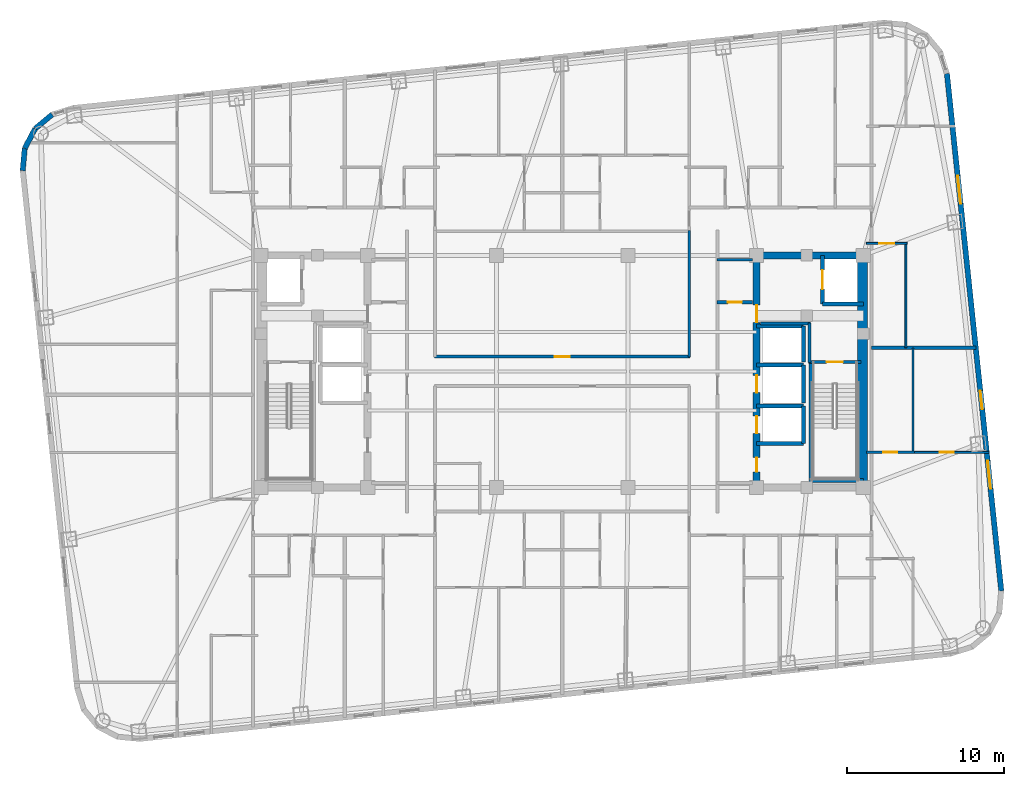
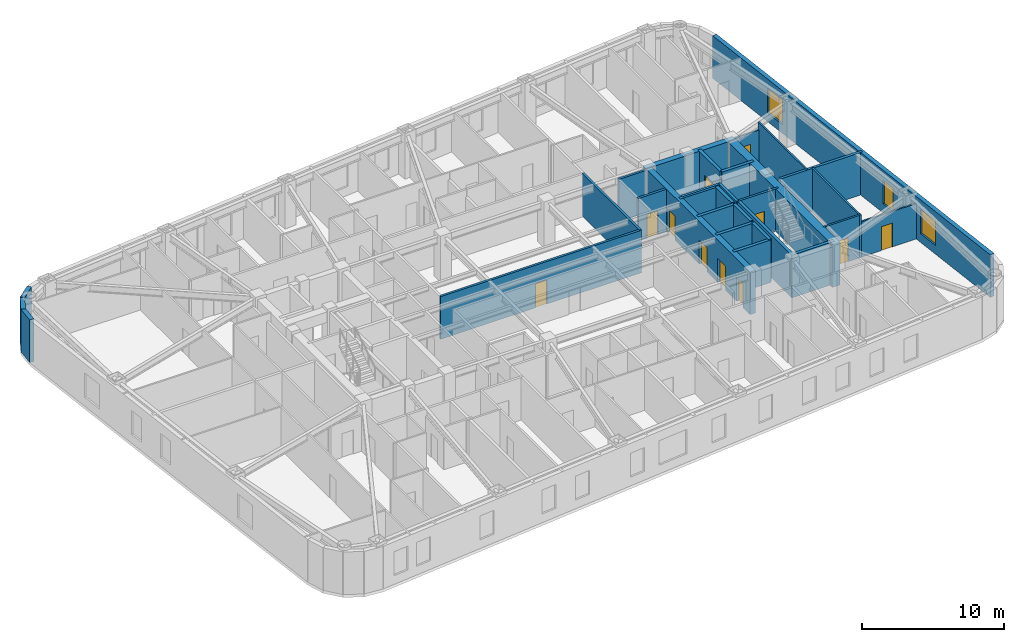
# One storey, part 6 of 11: 31 walls, 11 doors, 3 windows, 14 openings.
"""IFC4 building model written with IfcOpenShell, lengths in metres."""

from ifc_helpers import new_model, si_unit, direction, frame, frame_2d, origin, place, context, subcontext, project, spatial, rectangle, extrude, material, layer, layer_set, type_object, element, fill, save


model = new_model("IFC4")

# Units and contexts
model_context = context("Model", 3, precision=1e-05, world=origin(), true_north=direction((0.0, 1.0)))
body_context = subcontext(model_context, "Body", "Model", "MODEL_VIEW")
ifc_project = project(units=[si_unit("LENGTHUNIT", "METRE"), si_unit("AREAUNIT", "SQUARE_METRE"), si_unit("VOLUMEUNIT", "CUBIC_METRE"), si_unit("PLANEANGLEUNIT", "RADIAN"), si_unit("MASSUNIT", "GRAM", prefix="KILO")], contexts=[model_context])

# Site, building, storey
site_placement = place(None, origin())
site = spatial("IfcSite", under=ifc_project, at=site_placement, CompositionType="ELEMENT")
building_placement = place(site_placement, origin())
building = spatial("IfcBuilding", under=site, at=building_placement, Name="Voryun Gate Residences", CompositionType="ELEMENT")
storey_placement = place(building_placement, frame((0.0, 0.0, 156.0)))
storey = spatial("IfcBuildingStorey", under=building, at=storey_placement, Name="L38", CompositionType="ELEMENT", Elevation=156.0)

# Wall
ifc_material_1 = material(Name="Concrete C50/60", Category="concrete")
ifc_layer_1 = layer(ifc_material_1, 0.449951171875, Name="CW_CORE_450")
ifc_layer_set_1 = layer_set([ifc_layer_1], Name="Concrete C50/60")
wall_type_1 = type_object("IfcWallType", Name="CW_CORE_450", PredefinedType="SHEAR", material=ifc_layer_set_1)
wall_1_placement = place(storey_placement, frame((12.175048828125, 7.39990234375, 0.0), z_axis=(0.0, 0.0, 1.0), x_axis=(1.0, 0.0, 0.0)))
element("IfcWall", 1, at=wall_1_placement, inside=storey, type_object=wall_type_1, Name="L38 Core shear wall CW-L38-EN", PredefinedType="SHEAR", context=body_context, shape_type="SweptSolid", body=[
    extrude(rectangle(XDim=7.25, YDim=0.449951171875, at=frame_2d((3.625, 0.0))), origin(), (0.0, 0.0, 1.0), 3.64990234375),
])

# Wall, openings, doors
wall_2_placement = place(storey_placement, frame((12.39990234375, -7.39990234375, 0.0), z_axis=(0.0, 0.0, 1.0), x_axis=(0.0, 1.0, 0.0)))
wall_2 = element("IfcWall", 2, at=wall_2_placement, inside=storey, type_object=wall_type_1, Name="L38 Core shear wall CW-L38-EW", PredefinedType="SHEAR", context=body_context, shape_type="SweptSolid", body=[
    extrude(rectangle(XDim=14.7998046875, YDim=0.449951171875, at=frame_2d((7.39990234375, 0.0))), origin(), (0.0, 0.0, 1.0), 3.64990234375),
])
opening_1_placement = place(wall_2_placement, frame((3.449951171875, 0.0, 0.0)))
opening_1 = element("IfcOpeningElement", 3, at=opening_1_placement, cuts=wall_2, Name="Opening LD2", PredefinedType="OPENING", context=body_context, shape_type="SweptSolid", body=[
    extrude(rectangle(XDim=1.10009765625, YDim=2.050048828125, at=frame_2d((0.550048828125, 1.02490234375))), frame((0.0, 0.235107421875, 0.0), z_axis=(0.0, -1.0, 0.0), x_axis=(1.0, 0.0, 0.0)), (0.0, 0.0, 1.0), 0.469970703125),
])
opening_2_placement = place(wall_2_placement, frame((6.050048828125, 0.0, 0.0)))
opening_2 = element("IfcOpeningElement", 4, at=opening_2_placement, cuts=wall_2, Name="Opening LD2", PredefinedType="OPENING", context=body_context, shape_type="SweptSolid", body=[
    extrude(rectangle(XDim=1.10009765625, YDim=2.050048828125, at=frame_2d((0.550048828125, 1.02490234375))), frame((0.0, 0.235107421875, 0.0), z_axis=(0.0, -1.0, 0.0), x_axis=(1.0, 0.0, 0.0)), (0.0, 0.0, 1.0), 0.469970703125),
])
opening_3_placement = place(wall_2_placement, frame((10.530029296875, 0.0, 0.0)))
opening_3 = element("IfcOpeningElement", 5, at=opening_3_placement, cuts=wall_2, Name="Opening D-FD60-2", PredefinedType="OPENING", context=body_context, shape_type="SweptSolid", body=[
    extrude(rectangle(XDim=1.10009765625, YDim=2.050048828125, at=frame_2d((0.550048828125, 1.02490234375))), frame((0.0, 0.235107421875, 0.0), z_axis=(0.0, -1.0, 0.0), x_axis=(1.0, 0.0, 0.0)), (0.0, 0.0, 1.0), 0.469970703125),
])
opening_4_placement = place(wall_2_placement, frame((1.0, 0.0, 0.0)))
opening_4 = element("IfcOpeningElement", 6, at=opening_4_placement, cuts=wall_2, Name="Opening D-FD60-4", PredefinedType="OPENING", context=body_context, shape_type="SweptSolid", body=[
    extrude(rectangle(XDim=0.89990234375, YDim=2.050048828125, at=frame_2d((0.449951171875, 1.02490234375))), frame((0.0, 0.235107421875, 0.0), z_axis=(0.0, -1.0, 0.0), x_axis=(1.0, 0.0, 0.0)), (0.0, 0.0, 1.0), 0.469970703125),
])
ifc_material_2 = material(Name="Painted steel fire door", Category="steel")
door_type_1 = type_object("IfcDoorType", Name="DR_FD60_FFLOB_1100", OperationType="NOTDEFINED", PredefinedType="DOOR", material=ifc_material_2)
door_1_placement = place(opening_3_placement, origin())
door_1 = element("IfcDoor", 7, at=door_1_placement, inside=storey, type_object=door_type_1, Name="Door DR-L38-CLOB-E", OperationType="SINGLE_SWING_RIGHT", OverallHeight=2.050048828125, OverallWidth=1.10009765625, PredefinedType="DOOR", context=body_context, shape_type="SweptSolid", body=[
    extrude(rectangle(XDim=1.10009765625, YDim=2.050048828125, at=frame_2d((0.550048828125, 1.02490234375))), frame((0.0, 0.02490234375, 0.0), z_axis=(0.0, -1.0, 0.0), x_axis=(1.0, 0.0, 0.0)), (0.0, 0.0, 1.0), 0.050048828125),
])
fill(opening_3, door_1)
ifc_material_3 = material(Name="Painted steel fire door", Category="steel")
door_type_2 = type_object("IfcDoorType", Name="DR_FD60_RISER_900", OperationType="NOTDEFINED", PredefinedType="DOOR", material=ifc_material_3)
door_2_placement = place(opening_4_placement, origin())
door_2 = element("IfcDoor", 8, at=door_2_placement, inside=storey, type_object=door_type_2, Name="Door DR-L38-RECE1", OperationType="SINGLE_SWING_RIGHT", OverallHeight=2.050048828125, OverallWidth=0.89990234375, PredefinedType="DOOR", context=body_context, shape_type="SweptSolid", body=[
    extrude(rectangle(XDim=0.89990234375, YDim=2.050048828125, at=frame_2d((0.449951171875, 1.02490234375))), frame((0.0, 0.02490234375, 0.0), z_axis=(0.0, -1.0, 0.0), x_axis=(1.0, 0.0, 0.0)), (0.0, 0.0, 1.0), 0.050048828125),
])
fill(opening_4, door_2)
ifc_material_4 = material(Name="Anodised aluminium", Category="aluminium")
door_type_3 = type_object("IfcDoorType", Name="DR_LD_PASS_1100", OperationType="NOTDEFINED", PredefinedType="DOOR", material=ifc_material_4)
door_3_placement = place(opening_1_placement, origin())
door_3 = element("IfcDoor", 9, at=door_3_placement, inside=storey, type_object=door_type_3, Name="Lift EL-P5 sliding landing door L38", OperationType="SLIDING_TO_LEFT", OverallHeight=2.050048828125, OverallWidth=1.10009765625, PredefinedType="DOOR", context=body_context, shape_type="SweptSolid", body=[
    extrude(rectangle(XDim=1.10009765625, YDim=2.050048828125, at=frame_2d((0.550048828125, 1.02490234375))), frame((0.0, 0.02490234375, 0.0), z_axis=(0.0, -1.0, 0.0), x_axis=(1.0, 0.0, 0.0)), (0.0, 0.0, 1.0), 0.050048828125),
])
fill(opening_1, door_3)
door_4_placement = place(opening_2_placement, origin())
door_4 = element("IfcDoor", 10, at=door_4_placement, inside=storey, type_object=door_type_3, Name="Lift EL-P6 sliding landing door L38", OperationType="SLIDING_TO_LEFT", OverallHeight=2.050048828125, OverallWidth=1.10009765625, PredefinedType="DOOR", context=body_context, shape_type="SweptSolid", body=[
    extrude(rectangle(XDim=1.10009765625, YDim=2.050048828125, at=frame_2d((0.550048828125, 1.02490234375))), frame((0.0, 0.02490234375, 0.0), z_axis=(0.0, -1.0, 0.0), x_axis=(1.0, 0.0, 0.0)), (0.0, 0.0, 1.0), 0.050048828125),
])
fill(opening_2, door_4)

# Wall
ifc_material_5 = material(Name="Concrete C60/75", Category="concrete")
ifc_layer_2 = layer(ifc_material_5, 0.64990234375, Name="CW_CORE_650")
ifc_layer_set_2 = layer_set([ifc_layer_2], Name="Concrete C60/75")
wall_type_2 = type_object("IfcWallType", Name="CW_CORE_650", PredefinedType="SHEAR", material=ifc_layer_set_2)
wall_3_placement = place(storey_placement, frame((19.14501953125, -7.39990234375, 0.0), z_axis=(0.0, 0.0, 1.0), x_axis=(0.0, 1.0, 0.0)))
element("IfcWall", 11, at=wall_3_placement, inside=storey, type_object=wall_type_2, Name="L38 Core shear wall CW-L38-EE", PredefinedType="SHEAR", context=body_context, shape_type="SweptSolid", body=[
    extrude(rectangle(XDim=14.7998046875, YDim=0.64990234375, at=frame_2d((7.39990234375, 0.0))), origin(), (0.0, 0.0, 1.0), 3.64990234375),
])

# Wall, opening, door
ifc_material_6 = material(Name="Gypsum acoustic fireboard")
ifc_layer_3 = layer(ifc_material_6, 0.179931640625, Name="W_CORR_RATED_180")
ifc_layer_set_3 = layer_set([ifc_layer_3], Name="Gypsum acoustic fireboard")
wall_type_3 = type_object("IfcWallType", Name="W_CORR_RATED_180", PredefinedType="PARTITIONING", material=ifc_layer_set_3)
wall_4_placement = place(storey_placement, frame((15.699951171875, 0.60009765625, 0.0), z_axis=(0.0, 0.0, 1.0), x_axis=(1.0, 0.0, 0.0)))
wall_4 = element("IfcWall", 12, at=wall_4_placement, inside=storey, type_object=wall_type_3, Name="Partition wall WP-L38-STV-E", PredefinedType="PARTITIONING", context=body_context, shape_type="SweptSolid", body=[
    extrude(rectangle(XDim=3.360107421875, YDim=0.179931640625, at=frame_2d((1.68017578125, 0.0))), origin(), (0.0, 0.0, 1.0), 3.64990234375),
])
opening_5_placement = place(wall_4_placement, frame((1.155029296875, 0.0, 0.0)))
opening_5 = element("IfcOpeningElement", 13, at=opening_5_placement, cuts=wall_4, Name="Opening D-FD60-1", PredefinedType="OPENING", context=body_context, shape_type="SweptSolid", body=[
    extrude(rectangle(XDim=1.050048828125, YDim=2.050048828125, at=frame_2d((0.52490234375, 1.02490234375))), frame((0.0, 0.099853515625, 0.0), z_axis=(0.0, -1.0, 0.0), x_axis=(1.0, 0.0, 0.0)), (0.0, 0.0, 1.0), 0.199951171875),
])
ifc_material_7 = material(Name="Painted steel fire door", Category="steel")
door_type_4 = type_object("IfcDoorType", Name="DR_FD60_STAIR_1050", OperationType="NOTDEFINED", PredefinedType="DOOR", material=ifc_material_7)
door_5_placement = place(opening_5_placement, origin())
door_5 = element("IfcDoor", 14, at=door_5_placement, inside=storey, type_object=door_type_4, Name="Door DR-L38-ST-E", OperationType="SINGLE_SWING_RIGHT", OverallHeight=2.050048828125, OverallWidth=1.050048828125, PredefinedType="DOOR", context=body_context, shape_type="SweptSolid", body=[
    extrude(rectangle(XDim=1.050048828125, YDim=2.050048828125, at=frame_2d((0.52490234375, 1.02490234375))), frame((0.0, 0.02490234375, 0.0), z_axis=(0.0, -1.0, 0.0), x_axis=(1.0, 0.0, 0.0)), (0.0, 0.0, 1.0), 0.050048828125),
])
fill(opening_5, door_5)

# Wall
wall_5_placement = place(storey_placement, frame((9.8798828125, 7.1201171875, 0.0), z_axis=(0.0, 0.0, 1.0), x_axis=(1.0, 0.0, 0.0)))
element("IfcWall", 15, at=wall_5_placement, inside=storey, type_object=wall_type_3, Name="Partition wall WP-L38-PLBN-E", PredefinedType="PARTITIONING", context=body_context, shape_type="SweptSolid", body=[
    extrude(rectangle(XDim=2.27001953125, YDim=0.179931640625, at=frame_2d((1.135009765625, 0.0))), origin(), (0.0, 0.0, 1.0), 3.64990234375),
])

# Wall, opening, door
wall_6_placement = place(storey_placement, frame((-8.14990234375, 0.93994140625, 0.0), z_axis=(0.0, 0.0, 1.0), x_axis=(1.0, 0.0, 0.0)))
wall_6 = element("IfcWall", 16, at=wall_6_placement, inside=storey, type_object=wall_type_3, Name="Partition wall WP-L38-Z2HN", PredefinedType="PARTITIONING", context=body_context, shape_type="SweptSolid", body=[
    extrude(rectangle(XDim=16.2998046875, YDim=0.179931640625, at=frame_2d((8.14990234375, 0.0))), origin(), (0.0, 0.0, 1.0), 3.64990234375),
])
opening_6_placement = place(wall_6_placement, frame((7.675048828125, 0.0, 0.0)))
opening_6 = element("IfcOpeningElement", 17, at=opening_6_placement, cuts=wall_6, Name="Opening D-INT-1", PredefinedType="OPENING", context=body_context, shape_type="SweptSolid", body=[
    extrude(rectangle(XDim=0.949951171875, YDim=2.050048828125, at=frame_2d((0.47509765625, 1.02490234375))), frame((0.0, 0.099853515625, 0.0), z_axis=(0.0, -1.0, 0.0), x_axis=(1.0, 0.0, 0.0)), (0.0, 0.0, 1.0), 0.199951171875),
])
ifc_material_8 = material(Name="Architectural oak veneer")
door_type_5 = type_object("IfcDoorType", Name="DR_INT_ROOM_950", OperationType="NOTDEFINED", PredefinedType="DOOR", material=ifc_material_8)
door_6_placement = place(opening_6_placement, origin())
door_6 = element("IfcDoor", 18, at=door_6_placement, inside=storey, type_object=door_type_5, Name="Door DR-L38-Z2NH", OperationType="SINGLE_SWING_LEFT", OverallHeight=2.050048828125, OverallWidth=0.949951171875, PredefinedType="DOOR", context=body_context, shape_type="SweptSolid", body=[
    extrude(rectangle(XDim=0.949951171875, YDim=2.050048828125, at=frame_2d((0.47509765625, 1.02490234375))), frame((0.0, 0.02490234375, 0.0), z_axis=(0.0, -1.0, 0.0), x_axis=(1.0, 0.0, 0.0)), (0.0, 0.0, 1.0), 0.050048828125),
])
fill(opening_6, door_6)

# Walls
wall_7_placement = place(storey_placement, frame((8.10009765625, 0.919921875, 0.0), z_axis=(0.0, 0.0, 1.0), x_axis=(0.0, 1.0, 0.0)))
element("IfcWall", 19, at=wall_7_placement, inside=storey, type_object=wall_type_3, Name="Partition wall WP-L38-Z2ER1", PredefinedType="PARTITIONING", context=body_context, shape_type="SweptSolid", body=[
    extrude(rectangle(XDim=8.06005859375, YDim=0.179931640625, at=frame_2d((4.030029296875, 0.0))), origin(), (0.0, 0.0, 1.0), 3.64990234375),
])
ifc_material_9 = material(Name="Charcoal terracotta masonry", Category="masonry")
ifc_layer_4 = layer(ifc_material_9, 0.340087890625, Name="W_EXT_TERRACOTTA_340")
ifc_layer_set_4 = layer_set([ifc_layer_4], Name="Charcoal terracotta masonry")
wall_type_4 = type_object("IfcWallType", Name="W_EXT_TERRACOTTA_340", PredefinedType="ELEMENTEDWALL", material=ifc_layer_set_4)
wall_8_placement = place(storey_placement, frame((-34.401123046875, 12.795166015625, 0.0), z_axis=(0.0, 0.0, 1.0), x_axis=(0.091534682358, 0.995801888894, 0.0)))
element("IfcWall", 20, at=wall_8_placement, inside=storey, type_object=wall_type_4, Name="Exterior wall WEXT-L38-07", PredefinedType="ELEMENTEDWALL", context=body_context, shape_type="SweptSolid", body=[
    extrude(rectangle(XDim=1.432373046875, YDim=0.340087890625, at=frame_2d((0.71630859375, 0.0))), origin(), (0.0, 0.0, 1.0), 3.64990234375),
])
for number, where, z_axis, x_axis, name in (
    (21, (-34.27001953125, 14.221435546875, 0.0), (0.0, 0.0, 1.0), (0.465682431293, 0.884951904447, 0.0), "Exterior wall WEXT-L38-08"),
    (22, (-33.611083984375, 15.4736328125, 0.0), (0.0, 0.0, 1.0), (0.768843196093, 0.639437361921, 0.0), "Exterior wall WEXT-L38-09"),
):
    element("IfcWall", number, at=place(storey_placement, frame(where, z_axis=z_axis, x_axis=x_axis)), inside=storey, type_object=wall_type_4, Name=name, PredefinedType="ELEMENTEDWALL", context=body_context, shape_type="SweptSolid", body=[
        extrude(rectangle(XDim=1.4150390625, YDim=0.340087890625, at=frame_2d((0.70751953125, 0.0))), origin(), (0.0, 0.0, 1.0), 3.64990234375),
    ])

# Wall, openings, windows
wall_9_placement = place(storey_placement, frame((24.5341796875, 18.989501953125, 0.0), z_axis=(0.0, 0.0, 1.0), x_axis=(0.104534959766, -0.994521212537, 0.0)))
wall_9 = element("IfcWall", 23, at=wall_9_placement, inside=storey, type_object=wall_type_4, Name="Exterior wall WEXT-L38-16", PredefinedType="ELEMENTEDWALL", context=body_context, shape_type="SweptSolid", body=[
    extrude(rectangle(XDim=33.166259765625, YDim=0.340087890625, at=frame_2d((16.5830078125, 0.0))), origin(), (0.0, 0.0, 1.0), 3.64990234375),
])
opening_7_placement = place(wall_9_placement, frame((6.54150390625, 0.0, 0.75)))
opening_7 = element("IfcOpeningElement", 24, at=opening_7_placement, cuts=wall_9, Name="Opening WN1", PredefinedType="OPENING", context=body_context, shape_type="SweptSolid", body=[
    extrude(rectangle(XDim=1.800048828125, YDim=2.10009765625, at=frame_2d((0.89990234375, 1.050048828125))), frame((0.0, 0.179931640625, 0.0), z_axis=(0.0, -1.0, 0.0), x_axis=(1.0, 0.0, 0.0)), (0.0, 0.0, 1.0), 0.360107421875),
])
opening_8_placement = place(wall_9_placement, frame((24.824951171875, 0.0, 0.75)))
opening_8 = element("IfcOpeningElement", 25, at=opening_8_placement, cuts=wall_9, Name="Opening WN1", PredefinedType="OPENING", context=body_context, shape_type="SweptSolid", body=[
    extrude(rectangle(XDim=1.800048828125, YDim=2.10009765625, at=frame_2d((0.89990234375, 1.050048828125))), frame((0.0, 0.179931640625, 0.0), z_axis=(0.0, -1.0, 0.0), x_axis=(1.0, 0.0, 0.0)), (0.0, 0.0, 1.0), 0.360107421875),
])
opening_9_placement = place(wall_9_placement, frame((20.33203125, 0.0, 0.75)))
opening_9 = element("IfcOpeningElement", 26, at=opening_9_placement, cuts=wall_9, Name="Opening WN6", PredefinedType="OPENING", context=body_context, shape_type="SweptSolid", body=[
    extrude(rectangle(XDim=1.199951171875, YDim=2.050048828125, at=frame_2d((0.60009765625, 1.02490234375))), frame((0.0, 0.179931640625, 0.0), z_axis=(0.0, -1.0, 0.0), x_axis=(1.0, 0.0, 0.0)), (0.0, 0.0, 1.0), 0.360107421875),
])
ifc_material_10 = material(Name="Laminated low-E glass", Category="glass")
window_type_1 = type_object("IfcWindowType", Name="WN_POD_SLOT_1200", PartitioningType="SINGLE_PANEL", PredefinedType="WINDOW", material=ifc_material_10)
window_1_placement = place(opening_9_placement, origin())
window_1 = element("IfcWindow", 27, at=window_1_placement, inside=storey, type_object=window_type_1, Name="Window WN-L38-DWFIX-26", OverallHeight=2.050048828125, OverallWidth=1.199951171875, PartitioningType="SINGLE_PANEL", PredefinedType="WINDOW", context=body_context, shape_type="SweptSolid", body=[
    extrude(rectangle(XDim=1.199951171875, YDim=2.050048828125, at=frame_2d((0.60009765625, 1.02490234375))), frame((0.0, 0.030029296875, 0.0), z_axis=(0.0, -1.0, 0.0), x_axis=(1.0, 0.0, 0.0)), (0.0, 0.0, 1.0), 0.06005859375),
])
fill(opening_9, window_1)
ifc_material_11 = material(Name="Laminated low-E glass", Category="glass")
window_type_2 = type_object("IfcWindowType", Name="WN_RES_PUNCH_1800", PartitioningType="SINGLE_PANEL", PredefinedType="WINDOW", material=ifc_material_11)
window_2_placement = place(opening_7_placement, origin())
window_2 = element("IfcWindow", 28, at=window_2_placement, inside=storey, type_object=window_type_2, Name="Window WN-WEXT-L38-16-01", OverallHeight=2.10009765625, OverallWidth=1.800048828125, PartitioningType="SINGLE_PANEL", PredefinedType="WINDOW", context=body_context, shape_type="SweptSolid", body=[
    extrude(rectangle(XDim=1.800048828125, YDim=2.10009765625, at=frame_2d((0.89990234375, 1.050048828125))), frame((0.0, 0.030029296875, 0.0), z_axis=(0.0, -1.0, 0.0), x_axis=(1.0, 0.0, 0.0)), (0.0, 0.0, 1.0), 0.06005859375),
])
fill(opening_7, window_2)
window_3_placement = place(opening_8_placement, origin())
window_3 = element("IfcWindow", 29, at=window_3_placement, inside=storey, type_object=window_type_2, Name="Window WN-WEXT-L38-16-02", OverallHeight=2.10009765625, OverallWidth=1.800048828125, PartitioningType="SINGLE_PANEL", PredefinedType="WINDOW", context=body_context, shape_type="SweptSolid", body=[
    extrude(rectangle(XDim=1.800048828125, YDim=2.10009765625, at=frame_2d((0.89990234375, 1.050048828125))), frame((0.0, 0.030029296875, 0.0), z_axis=(0.0, -1.0, 0.0), x_axis=(1.0, 0.0, 0.0)), (0.0, 0.0, 1.0), 0.06005859375),
])
fill(opening_8, window_3)

# Walls
ifc_material_12 = material(Name="Concrete C40/50", Category="concrete")
ifc_layer_5 = layer(ifc_material_12, 0.199951171875, Name="W_FF_LOBBY_200")
ifc_layer_set_5 = layer_set([ifc_layer_5], Name="Concrete C40/50")
wall_type_5 = type_object("IfcWallType", Name="W_FF_LOBBY_200", PredefinedType="PARTITIONING", material=ifc_layer_set_5)
wall_10_placement = place(storey_placement, frame((15.760009765625, 0.580078125, 0.0), z_axis=(0.0, 0.0, 1.0), x_axis=(0.0, 1.0, 0.0)))
element("IfcWall", 30, at=wall_10_placement, inside=storey, type_object=wall_type_5, Name="Partition wall WP-L38-FFP0-E", PredefinedType="PARTITIONING", context=body_context, shape_type="SweptSolid", body=[
    extrude(rectangle(XDim=2.52001953125, YDim=0.199951171875, at=frame_2d((1.260009765625, 0.0))), origin(), (0.0, 0.0, 1.0), 3.64990234375),
])
wall_11_placement = place(storey_placement, frame((12.659912109375, 3.06005859375, 0.0), z_axis=(0.0, 0.0, 1.0), x_axis=(1.0, 0.0, 0.0)))
element("IfcWall", 31, at=wall_11_placement, inside=storey, type_object=wall_type_5, Name="Partition wall WP-L38-FFPS-E", PredefinedType="PARTITIONING", context=body_context, shape_type="SweptSolid", body=[
    extrude(rectangle(XDim=3.16015625, YDim=0.199951171875, at=frame_2d((1.580078125, 0.0))), origin(), (0.0, 0.0, 1.0), 3.64990234375),
])

# Wall, opening, door
wall_12_placement = place(storey_placement, frame((9.8798828125, 4.409912109375, 0.0), z_axis=(0.0, 0.0, 1.0), x_axis=(1.0, 0.0, 0.0)))
wall_12 = element("IfcWall", 32, at=wall_12_placement, inside=storey, type_object=wall_type_5, Name="Partition wall WP-L38-CSFLKS-E", PredefinedType="PARTITIONING", context=body_context, shape_type="SweptSolid", body=[
    extrude(rectangle(XDim=2.27001953125, YDim=0.199951171875, at=frame_2d((1.135009765625, 0.0))), origin(), (0.0, 0.0, 1.0), 3.64990234375),
])
opening_10_placement = place(wall_12_placement, frame((0.68505859375, 0.0, 0.0)))
opening_10 = element("IfcOpeningElement", 33, at=opening_10_placement, cuts=wall_12, Name="Opening D-FD60-4", PredefinedType="OPENING", context=body_context, shape_type="SweptSolid", body=[
    extrude(rectangle(XDim=0.89990234375, YDim=2.050048828125, at=frame_2d((0.449951171875, 1.02490234375))), frame((0.0, 0.110107421875, 0.0), z_axis=(0.0, -1.0, 0.0), x_axis=(1.0, 0.0, 0.0)), (0.0, 0.0, 1.0), 0.219970703125),
])
door_7_placement = place(opening_10_placement, origin())
door_7 = element("IfcDoor", 34, at=door_7_placement, inside=storey, type_object=door_type_2, Name="Door DR-L38-CSFLK-E", OperationType="SINGLE_SWING_RIGHT", OverallHeight=2.050048828125, OverallWidth=0.89990234375, PredefinedType="DOOR", context=body_context, shape_type="SweptSolid", body=[
    extrude(rectangle(XDim=0.89990234375, YDim=2.050048828125, at=frame_2d((0.449951171875, 1.02490234375))), frame((0.0, 0.02490234375, 0.0), z_axis=(0.0, -1.0, 0.0), x_axis=(1.0, 0.0, 0.0)), (0.0, 0.0, 1.0), 0.050048828125),
])
fill(opening_10, door_7)

# Walls
ifc_material_13 = material(Name="Concrete C40/50", Category="concrete")
ifc_layer_6 = layer(ifc_material_13, 0.219970703125, Name="W_PARTY_ACOUSTIC_220")
ifc_layer_set_6 = layer_set([ifc_layer_6], Name="Concrete C40/50")
wall_type_6 = type_object("IfcWallType", Name="W_PARTY_ACOUSTIC_220", PredefinedType="PARTITIONING", material=ifc_layer_set_6)
wall_13_placement = place(storey_placement, frame((19.719970703125, 1.5, 0.0), z_axis=(0.0, 0.0, 1.0), x_axis=(1.0, 0.0, 0.0)))
element("IfcWall", 35, at=wall_13_placement, inside=storey, type_object=wall_type_6, Name="Partition wall WP-L38-EPTY", PredefinedType="PARTITIONING", context=body_context, shape_type="SweptSolid", body=[
    extrude(rectangle(XDim=6.652587890625, YDim=0.219970703125, at=frame_2d((3.326171875, 0.0))), origin(), (0.0, 0.0, 1.0), 3.64990234375),
])
ifc_material_14 = material(Name="Concrete C50/60", Category="concrete")
ifc_layer_7 = layer(ifc_material_14, 0.25, Name="W_SHAFT_RC250")
ifc_layer_set_7 = layer_set([ifc_layer_7], Name="Concrete C50/60")
wall_type_7 = type_object("IfcWallType", Name="W_SHAFT_RC250", PredefinedType="SOLIDWALL", material=ifc_layer_set_7)
wall_14_placement = place(storey_placement, frame((15.860107421875, -7.0849609375, 0.0), z_axis=(0.0, 0.0, 1.0), x_axis=(0.0, 1.0, 0.0)))
element("IfcWall", 36, at=wall_14_placement, inside=storey, type_object=wall_type_7, Name="L38 Stair shaft structural wall E-STL", PredefinedType="SOLIDWALL", context=body_context, shape_type="SweptSolid", body=[
    extrude(rectangle(XDim=7.68505859375, YDim=0.25, at=frame_2d((3.842529296875, 0.0))), origin(), (0.0, 0.0, 1.0), 3.64990234375),
])
wall_15_placement = place(storey_placement, frame((15.739990234375, -6.965087890625, 0.0), z_axis=(0.0, 0.0, 1.0), x_axis=(1.0, 0.0, 0.0)))
element("IfcWall", 37, at=wall_15_placement, inside=storey, type_object=wall_type_7, Name="L38 Stair shaft structural wall E-STS", PredefinedType="SOLIDWALL", context=body_context, shape_type="SweptSolid", body=[
    extrude(rectangle(XDim=3.4599609375, YDim=0.25, at=frame_2d((1.72998046875, 0.0))), origin(), (0.0, 0.0, 1.0), 3.64990234375),
])
wall_16_placement = place(storey_placement, frame((16.60009765625, 4.300048828125, 0.0), z_axis=(0.0, 0.0, 1.0), x_axis=(1.0, 0.0, 0.0)))
element("IfcWall", 38, at=wall_16_placement, inside=storey, type_object=wall_type_7, Name="Lift shaft wall WSH-L38-EL-FF-E1-S", PredefinedType="SOLIDWALL", context=body_context, shape_type="SweptSolid", body=[
    extrude(rectangle(XDim=2.599853515625, YDim=0.25, at=frame_2d((1.2998046875, 0.0))), origin(), (0.0, 0.0, 1.0), 3.64990234375),
])

# Wall, opening, door
wall_17_placement = place(storey_placement, frame((16.60009765625, 7.39990234375, 0.0), z_axis=(0.0, 0.0, 1.0), x_axis=(0.0, -1.0, 0.0)))
wall_17 = element("IfcWall", 39, at=wall_17_placement, inside=storey, type_object=wall_type_7, Name="Lift shaft wall WSH-L38-EL-FF-E1-W", PredefinedType="SOLIDWALL", context=body_context, shape_type="SweptSolid", body=[
    extrude(rectangle(XDim=3.099853515625, YDim=0.25, at=frame_2d((1.5498046875, 0.0))), origin(), (0.0, 0.0, 1.0), 3.64990234375),
])
opening_11_placement = place(wall_17_placement, frame((0.949951171875, 0.0, 0.0)))
opening_11 = element("IfcOpeningElement", 40, at=opening_11_placement, cuts=wall_17, Name="Opening LD1", PredefinedType="OPENING", context=body_context, shape_type="SweptSolid", body=[
    extrude(rectangle(XDim=1.199951171875, YDim=2.050048828125, at=frame_2d((0.60009765625, 1.02490234375))), frame((0.0, 0.135009765625, 0.0), z_axis=(0.0, -1.0, 0.0), x_axis=(1.0, 0.0, 0.0)), (0.0, 0.0, 1.0), 0.27001953125),
])
ifc_material_15 = material(Name="Anodised aluminium", Category="aluminium")
door_type_6 = type_object("IfcDoorType", Name="DR_LD_FF_1200", OperationType="NOTDEFINED", PredefinedType="DOOR", material=ifc_material_15)
door_8_placement = place(opening_11_placement, origin())
door_8 = element("IfcDoor", 41, at=door_8_placement, inside=storey, type_object=door_type_6, Name="Lift EL-FF-E1 sliding landing door L38", OperationType="SLIDING_TO_LEFT", OverallHeight=2.050048828125, OverallWidth=1.199951171875, PredefinedType="DOOR", context=body_context, shape_type="SweptSolid", body=[
    extrude(rectangle(XDim=1.199951171875, YDim=2.050048828125, at=frame_2d((0.60009765625, 1.02490234375))), frame((0.0, 0.02490234375, 0.0), z_axis=(0.0, -1.0, 0.0), x_axis=(1.0, 0.0, 0.0)), (0.0, 0.0, 1.0), 0.050048828125),
])
fill(opening_11, door_8)

# Walls
wall_18_placement = place(storey_placement, frame((12.39990234375, -4.60009765625, 0.0), z_axis=(0.0, 0.0, 1.0), x_axis=(1.0, 0.0, 0.0)))
element("IfcWall", 42, at=wall_18_placement, inside=storey, type_object=wall_type_7, Name="Lift shaft wall WSH-L38-EL-P5-S", PredefinedType="SOLIDWALL", context=body_context, shape_type="SweptSolid", body=[
    extrude(rectangle(XDim=3.0, YDim=0.25, at=frame_2d((1.5, 0.0))), origin(), (0.0, 0.0, 1.0), 3.64990234375),
])
wall_19_placement = place(storey_placement, frame((15.39990234375, -4.60009765625, 0.0), z_axis=(0.0, 0.0, 1.0), x_axis=(0.0, 1.0, 0.0)))
element("IfcWall", 43, at=wall_19_placement, inside=storey, type_object=wall_type_7, Name="Lift shaft wall WSH-L38-EL-P5-E", PredefinedType="SOLIDWALL", context=body_context, shape_type="SweptSolid", body=[
    extrude(rectangle(XDim=2.400146484375, YDim=0.25, at=frame_2d((1.2001953125, 0.0))), origin(), (0.0, 0.0, 1.0), 3.64990234375),
])
wall_20_placement = place(storey_placement, frame((15.39990234375, -2.199951171875, 0.0), z_axis=(0.0, 0.0, 1.0), x_axis=(-1.0, 0.0, 0.0)))
element("IfcWall", 44, at=wall_20_placement, inside=storey, type_object=wall_type_7, Name="Lift shaft wall WSH-L38-EL-P5-N", PredefinedType="SOLIDWALL", context=body_context, shape_type="SweptSolid", body=[
    extrude(rectangle(XDim=3.0, YDim=0.25, at=frame_2d((1.5, 0.0))), origin(), (0.0, 0.0, 1.0), 3.64990234375),
])
wall_21_placement = place(storey_placement, frame((15.39990234375, -2.0, 0.0), z_axis=(0.0, 0.0, 1.0), x_axis=(0.0, 1.0, 0.0)))
element("IfcWall", 45, at=wall_21_placement, inside=storey, type_object=wall_type_7, Name="Lift shaft wall WSH-L38-EL-P6-E", PredefinedType="SOLIDWALL", context=body_context, shape_type="SweptSolid", body=[
    extrude(rectangle(XDim=2.39990234375, YDim=0.25, at=frame_2d((1.199951171875, 0.0))), origin(), (0.0, 0.0, 1.0), 3.64990234375),
])
wall_22_placement = place(storey_placement, frame((15.39990234375, 0.39990234375, 0.0), z_axis=(0.0, 0.0, 1.0), x_axis=(-1.0, 0.0, 0.0)))
element("IfcWall", 46, at=wall_22_placement, inside=storey, type_object=wall_type_7, Name="Lift shaft wall WSH-L38-EL-P6-N", PredefinedType="SOLIDWALL", context=body_context, shape_type="SweptSolid", body=[
    extrude(rectangle(XDim=3.0, YDim=0.25, at=frame_2d((1.5, 0.0))), origin(), (0.0, 0.0, 1.0), 3.64990234375),
])
wall_23_placement = place(storey_placement, frame((15.39990234375, 0.60009765625, 0.0), z_axis=(0.0, 0.0, 1.0), x_axis=(0.0, 1.0, 0.0)))
element("IfcWall", 47, at=wall_23_placement, inside=storey, type_object=wall_type_7, Name="Lift shaft wall WSH-L38-EL-P8-E", PredefinedType="SOLIDWALL", context=body_context, shape_type="SweptSolid", body=[
    extrude(rectangle(XDim=2.2998046875, YDim=0.25, at=frame_2d((1.14990234375, 0.0))), origin(), (0.0, 0.0, 1.0), 3.64990234375),
])
wall_24_placement = place(storey_placement, frame((15.39990234375, 2.89990234375, 0.0), z_axis=(0.0, 0.0, 1.0), x_axis=(-1.0, 0.0, 0.0)))
element("IfcWall", 48, at=wall_24_placement, inside=storey, type_object=wall_type_7, Name="Lift shaft wall WSH-L38-EL-P8-N", PredefinedType="SOLIDWALL", context=body_context, shape_type="SweptSolid", body=[
    extrude(rectangle(XDim=3.0, YDim=0.25, at=frame_2d((1.5, 0.0))), origin(), (0.0, 0.0, 1.0), 3.64990234375),
])

# Wall, opening, door
ifc_material_16 = material(Name="Gypsum acoustic partition")
ifc_layer_8 = layer(ifc_material_16, 0.125, Name="W_UNIT_PART_125")
ifc_layer_set_8 = layer_set([ifc_layer_8], Name="Gypsum acoustic partition")
wall_type_8 = type_object("IfcWallType", Name="W_UNIT_PART_125", PredefinedType="PARTITIONING", material=ifc_layer_set_8)
wall_25_placement = place(storey_placement, frame((22.31005859375, -5.159912109375, 0.0), z_axis=(0.0, 0.0, 1.0), x_axis=(1.0, 0.0, 0.0)))
wall_25 = element("IfcWall", 49, at=wall_25_placement, inside=storey, type_object=wall_type_8, Name="Partition wall WP-L38-E1-OHZ", PredefinedType="PARTITIONING", context=body_context, shape_type="SweptSolid", body=[
    extrude(rectangle(XDim=4.913330078125, YDim=0.125, at=frame_2d((2.45654296875, 0.0))), origin(), (0.0, 0.0, 1.0), 3.0400390625),
])
opening_12_placement = place(wall_25_placement, frame((1.760986328125, 0.0, 0.0)))
opening_12 = element("IfcOpeningElement", 50, at=opening_12_placement, cuts=wall_25, Name="Opening D-INT-2", PredefinedType="OPENING", context=body_context, shape_type="SweptSolid", body=[
    extrude(rectangle(XDim=0.89990234375, YDim=2.050048828125, at=frame_2d((0.449951171875, 1.02490234375))), frame((0.0, 0.072509765625, 0.0), z_axis=(0.0, -1.0, 0.0), x_axis=(1.0, 0.0, 0.0)), (0.0, 0.0, 1.0), 0.14501953125),
])
ifc_material_17 = material(Name="Architectural oak veneer")
door_type_7 = type_object("IfcDoorType", Name="DR_INT_BATH_900", OperationType="NOTDEFINED", PredefinedType="DOOR", material=ifc_material_17)
door_9_placement = place(opening_12_placement, origin())
door_9 = element("IfcDoor", 51, at=door_9_placement, inside=storey, type_object=door_type_7, Name="Door DR-L38-E1-DMB", OperationType="SINGLE_SWING_LEFT", OverallHeight=2.050048828125, OverallWidth=0.89990234375, PredefinedType="DOOR", context=body_context, shape_type="SweptSolid", body=[
    extrude(rectangle(XDim=0.89990234375, YDim=2.050048828125, at=frame_2d((0.449951171875, 1.02490234375))), frame((0.0, 0.02490234375, 0.0), z_axis=(0.0, -1.0, 0.0), x_axis=(1.0, 0.0, 0.0)), (0.0, 0.0, 1.0), 0.050048828125),
])
fill(opening_12, door_9)

wall_26_placement = place(storey_placement, frame((19.39990234375, 8.159912109375, 0.0), z_axis=(0.0, 0.0, 1.0), x_axis=(1.0, 0.0, 0.0)))
wall_26 = element("IfcWall", 52, at=wall_26_placement, inside=storey, type_object=wall_type_8, Name="Partition wall WP-L38-E2-IKA", PredefinedType="PARTITIONING", context=body_context, shape_type="SweptSolid", body=[
    extrude(rectangle(XDim=2.60009765625, YDim=0.125, at=frame_2d((1.300048828125, 0.0))), origin(), (0.0, 0.0, 1.0), 3.0400390625),
])
opening_13_placement = place(wall_26_placement, frame((0.824951171875, 0.0, 0.0)))
opening_13 = element("IfcOpeningElement", 53, at=opening_13_placement, cuts=wall_26, Name="Opening D-INT-1", PredefinedType="OPENING", context=body_context, shape_type="SweptSolid", body=[
    extrude(rectangle(XDim=0.949951171875, YDim=2.050048828125, at=frame_2d((0.47509765625, 1.02490234375))), frame((0.0, 0.072509765625, 0.0), z_axis=(0.0, -1.0, 0.0), x_axis=(1.0, 0.0, 0.0)), (0.0, 0.0, 1.0), 0.14501953125),
])
door_10_placement = place(opening_13_placement, origin())
door_10 = element("IfcDoor", 54, at=door_10_placement, inside=storey, type_object=door_type_5, Name="Door DR-L38-E2-DK", OperationType="SINGLE_SWING_LEFT", OverallHeight=2.050048828125, OverallWidth=0.949951171875, PredefinedType="DOOR", context=body_context, shape_type="SweptSolid", body=[
    extrude(rectangle(XDim=0.949951171875, YDim=2.050048828125, at=frame_2d((0.47509765625, 1.02490234375))), frame((0.0, 0.02490234375, 0.0), z_axis=(0.0, -1.0, 0.0), x_axis=(1.0, 0.0, 0.0)), (0.0, 0.0, 1.0), 0.050048828125),
])
fill(opening_13, door_10)

# Wall
wall_27_placement = place(storey_placement, frame((21.919921875, 1.52001953125, 0.0), z_axis=(0.0, 0.0, 1.0), x_axis=(0.0, 1.0, 0.0)))
element("IfcWall", 55, at=wall_27_placement, inside=storey, type_object=wall_type_8, Name="Partition wall WP-L38-E2-VTA", PredefinedType="PARTITIONING", context=body_context, shape_type="SweptSolid", body=[
    extrude(rectangle(XDim=6.719970703125, YDim=0.125, at=frame_2d((3.35986328125, 0.0))), origin(), (0.0, 0.0, 1.0), 3.64990234375),
])

# Wall, opening, door
ifc_material_18 = material(Name="Gypsum moisture-resistant partition")
ifc_layer_9 = layer(ifc_material_18, 0.14990234375, Name="W_WET_PLUMB_150")
ifc_layer_set_9 = layer_set([ifc_layer_9], Name="Gypsum moisture-resistant partition")
wall_type_9 = type_object("IfcWallType", Name="W_WET_PLUMB_150", PredefinedType="PLUMBINGWALL", material=ifc_layer_set_9)
wall_28_placement = place(storey_placement, frame((19.39990234375, -5.159912109375, 0.0), z_axis=(0.0, 0.0, 1.0), x_axis=(1.0, 0.0, 0.0)))
wall_28 = element("IfcWall", 56, at=wall_28_placement, inside=storey, type_object=wall_type_9, Name="Partition wall WP-L38-E1-IBB", PredefinedType="PLUMBINGWALL", context=body_context, shape_type="SweptSolid", body=[
    extrude(rectangle(XDim=3.050048828125, YDim=0.14990234375, at=frame_2d((1.52490234375, 0.0))), origin(), (0.0, 0.0, 1.0), 3.64990234375),
])
opening_14_placement = place(wall_28_placement, frame((1.074951171875, 0.0, 0.0)))
opening_14 = element("IfcOpeningElement", 57, at=opening_14_placement, cuts=wall_28, Name="Opening D-INT-2", PredefinedType="OPENING", context=body_context, shape_type="SweptSolid", body=[
    extrude(rectangle(XDim=0.89990234375, YDim=2.050048828125, at=frame_2d((0.449951171875, 1.02490234375))), frame((0.0, 0.0849609375, 0.0), z_axis=(0.0, -1.0, 0.0), x_axis=(1.0, 0.0, 0.0)), (0.0, 0.0, 1.0), 0.169921875),
])
door_11_placement = place(opening_14_placement, origin())
door_11 = element("IfcDoor", 58, at=door_11_placement, inside=storey, type_object=door_type_7, Name="Door DR-L38-E1-DB", OperationType="SINGLE_SWING_RIGHT", OverallHeight=2.050048828125, OverallWidth=0.89990234375, PredefinedType="DOOR", context=body_context, shape_type="SweptSolid", body=[
    extrude(rectangle(XDim=0.89990234375, YDim=2.050048828125, at=frame_2d((0.449951171875, 1.02490234375))), frame((0.0, 0.02490234375, 0.0), z_axis=(0.0, -1.0, 0.0), x_axis=(1.0, 0.0, 0.0)), (0.0, 0.0, 1.0), 0.050048828125),
])
fill(opening_14, door_11)

# Wall
wall_29_placement = place(storey_placement, frame((22.3701171875, -5.239990234375, 0.0), z_axis=(0.0, 0.0, 1.0), x_axis=(0.0, 1.0, 0.0)))
element("IfcWall", 59, at=wall_29_placement, inside=storey, type_object=wall_type_9, Name="Partition wall WP-L38-E1-VTB", PredefinedType="PLUMBINGWALL", context=body_context, shape_type="SweptSolid", body=[
    extrude(rectangle(XDim=6.719970703125, YDim=0.14990234375, at=frame_2d((3.35986328125, 0.0))), origin(), (0.0, 0.0, 1.0), 3.64990234375),
])

save(model, "model.ifc")
